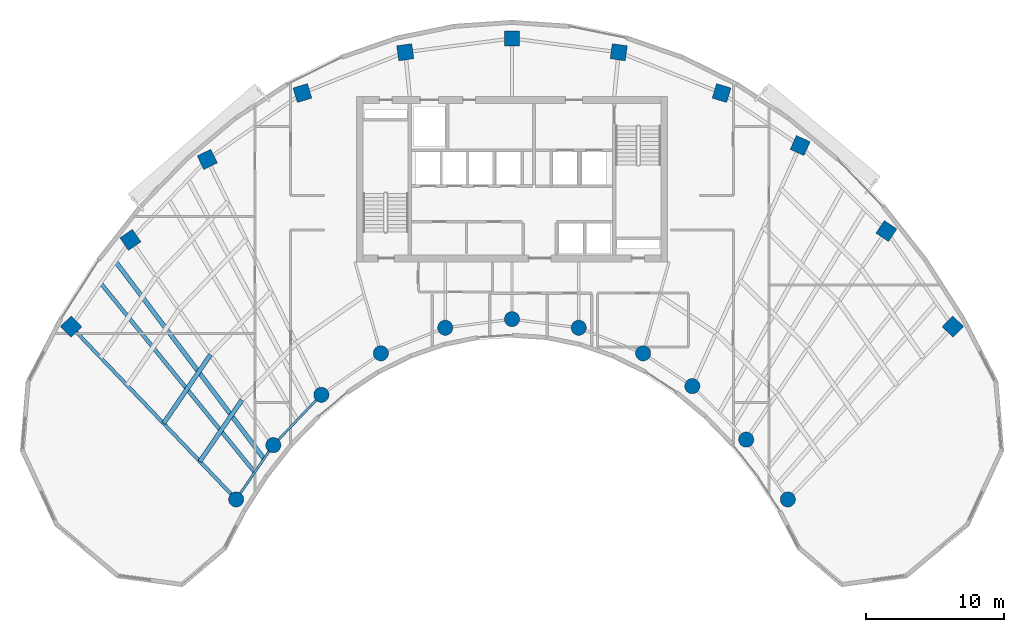
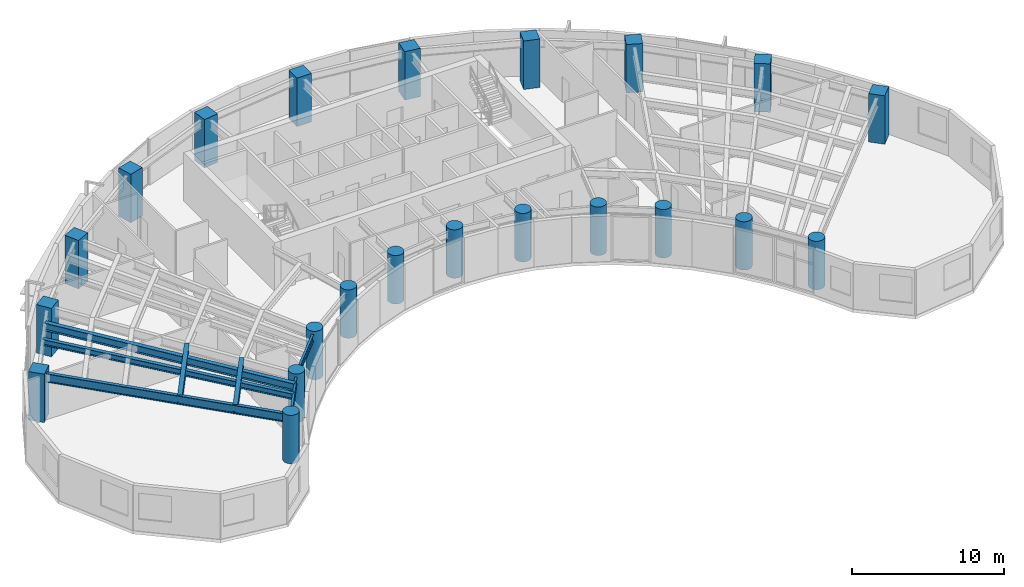
# One storey, part 1 of 12: 22 columns, 7 beams.
"""IFC4 building model written with IfcOpenShell, lengths in metres."""

from ifc_helpers import new_model, si_unit, direction, frame, origin, origin_2d, place, context, subcontext, project, spatial, rectangle, circle, i_section, extrude, source, transform, mapped, material, material_profile, profile_set, type_object, type_shapes, element, save


model = new_model("IFC4")

# Units and contexts
model_context = context("Model", 3, precision=1e-05, world=origin(), true_north=direction((0.0, 1.0)))
body_context = subcontext(model_context, "Body", "Model", "MODEL_VIEW")
ifc_project = project(units=[si_unit("LENGTHUNIT", "METRE"), si_unit("AREAUNIT", "SQUARE_METRE"), si_unit("VOLUMEUNIT", "CUBIC_METRE"), si_unit("PLANEANGLEUNIT", "RADIAN"), si_unit("MASSUNIT", "GRAM", prefix="KILO")], contexts=[model_context])

# Site, building, storey
site_placement = place(None, origin())
site = spatial("IfcSite", under=ifc_project, at=site_placement, CompositionType="ELEMENT")
building_placement = place(site_placement, origin())
building = spatial("IfcBuilding", under=site, at=building_placement, Name="Breltana Convention Tower", CompositionType="ELEMENT")
storey_placement = place(building_placement, frame((0.0, 0.0, 150.60009765625)))
storey = spatial("IfcBuildingStorey", under=building, at=storey_placement, Name="L36", CompositionType="ELEMENT", Elevation=150.60009765625)

# Columns
ifc_material_1 = material(Name="Concrete C60/75", Category="concrete")
ifc_material_profile_1 = material_profile(ifc_material_1, rectangle(XDim=1.10009765625, YDim=1.10009765625, at=origin_2d()), Name="RC-COL-1100X1100")
ifc_profile_set_1 = profile_set([ifc_material_profile_1], Name="Concrete C60/75")
column_type_1 = type_object("IfcColumnType", Name="COL-RC-1100", PredefinedType="COLUMN", material=ifc_profile_set_1)
shared_shape_1 = source(origin(), body_context, "Body", "SweptSolid", [
    extrude(rectangle(XDim=1.10009765625, YDim=1.10009765625, at=origin_2d()), origin(), (0.0, 0.0, 1.0), 3.89990234375),
])
for number, where, z_axis, x_axis, name in (
    (1, (16.0068359375, 55.494384765625, 0.0), (0.0, 0.0, 1.0), (-0.690756218984, 0.723087716626, 0.0), "L36 Tower Column R01-OUT"),
    (2, (20.310791015625, 61.78857421875, 0.0), (0.0, 0.0, 1.0), (-0.571143442153, 0.820850271661, 0.0), "L36 Tower Column R02-OUT"),
    (3, (25.8876953125, 67.626953125, 0.0), (0.0, 0.0, 1.0), (-0.436173672171, 0.899862504889, 0.0), "L36 Tower Column R03-OUT"),
    (4, (32.791015625, 72.4423828125, 0.0), (0.0, 0.0, 1.0), (-0.288697611798, 0.957420330337, 0.0), "L36 Tower Column R04-OUT"),
    (5, (40.253173828125, 75.404296875, 0.0), (0.0, 0.0, 1.0), (-0.143492621991, 0.98965138682, 0.0), "L36 Tower Column R05-OUT"),
    (6, (48.0, 76.404052734375, 0.0), (0.0, 0.0, 1.0), (0.0, 1.0, 0.0), "L36 Tower Column R06-OUT"),
    (7, (55.746826171875, 75.404296875, 0.0), (0.0, 0.0, 1.0), (0.143492621991, 0.98965138682, 0.0), "L36 Tower Column R07-OUT"),
    (8, (63.208984375, 72.4423828125, 0.0), (0.0, 0.0, 1.0), (0.288697611798, 0.957420330337, 0.0), "L36 Tower Column R08-OUT"),
    (9, (68.910400390625, 68.63330078125, 0.0), (0.0, 0.0, 1.0), (0.409126902895, 0.912477494148, 0.0), "L36 Tower Column R09-OUT"),
    (10, (75.166748046875, 62.43017578125, 0.0), (0.0, 0.0, 1.0), (0.55774510898, 0.830012285095, 0.0), "L36 Tower Column R10-OUT"),
    (11, (79.9931640625, 55.494384765625, 0.0), (0.0, 0.0, 1.0), (0.690756218984, 0.723087716626, 0.0), "L36 Tower Column R11-OUT"),
):
    element("IfcColumn", number, at=place(storey_placement, frame(where, z_axis=z_axis, x_axis=x_axis)), inside=storey, type_object=column_type_1, Name=name, PredefinedType="COLUMN", context=body_context, shape_type="MappedRepresentation", body=[
        mapped(shared_shape_1, transform((0.0, 0.0, 0.0), scale=1.0)),
    ])
ifc_material_2 = material(Name="Concrete C50/60", Category="concrete")
ifc_material_profile_2 = material_profile(ifc_material_2, circle(Radius=0.550048828125, at=origin_2d()), Name="RC-COL-D1100")
ifc_profile_set_2 = profile_set([ifc_material_profile_2], Name="Concrete C50/60")
column_type_2 = type_object("IfcColumnType", Name="COL-RC-D1100", PredefinedType="COLUMN", material=ifc_profile_set_2)
shared_shape_2 = source(origin(), body_context, "Body", "SweptSolid", [
    extrude(circle(Radius=0.550048828125, at=origin_2d()), origin(), (0.0, 0.0, 1.0), 3.89990234375),
])
for number, where, z_axis, x_axis, name in (
    (12, (27.984619140625, 42.95458984375, 0.0), (0.0, 0.0, 1.0), (-0.690756218984, 0.723087716626, 0.0), "L36 Tower Column R01-IN"),
    (13, (30.67724609375, 46.892333984375, 0.0), (0.0, 0.0, 1.0), (-0.571143442153, 0.820850271661, 0.0), "L36 Tower Column R02-IN"),
    (14, (34.166259765625, 50.544921875, 0.0), (0.0, 0.0, 1.0), (-0.436173672171, 0.899862504889, 0.0), "L36 Tower Column R03-IN"),
    (15, (38.485107421875, 53.5576171875, 0.0), (0.0, 0.0, 1.0), (-0.288697611798, 0.957420330337, 0.0), "L36 Tower Column R04-IN"),
    (16, (43.153564453125, 55.41064453125, 0.0), (0.0, 0.0, 1.0), (-0.143492621991, 0.98965138682, 0.0), "L36 Tower Column R05-IN"),
    (17, (48.0, 56.035888671875, 0.0), (0.0, 0.0, 1.0), (0.0, 1.0, 0.0), "L36 Tower Column R06-IN"),
    (18, (52.846435546875, 55.41064453125, 0.0), (0.0, 0.0, 1.0), (0.143492621991, 0.98965138682, 0.0), "L36 Tower Column R07-IN"),
    (19, (57.514892578125, 53.5576171875, 0.0), (0.0, 0.0, 1.0), (0.288697611798, 0.957420330337, 0.0), "L36 Tower Column R08-IN"),
    (20, (61.08203125, 51.174560546875, 0.0), (0.0, 0.0, 1.0), (0.409126902895, 0.912477494148, 0.0), "L36 Tower Column R09-IN"),
    (21, (64.995849609375, 47.293701171875, 0.0), (0.0, 0.0, 1.0), (0.55774510898, 0.830012285095, 0.0), "L36 Tower Column R10-IN"),
    (22, (68.015380859375, 42.95458984375, 0.0), (0.0, 0.0, 1.0), (0.690756218984, 0.723087716626, 0.0), "L36 Tower Column R11-IN"),
):
    element("IfcColumn", number, at=place(storey_placement, frame(where, z_axis=z_axis, x_axis=x_axis)), inside=storey, type_object=column_type_2, Name=name, PredefinedType="COLUMN", context=body_context, shape_type="MappedRepresentation", body=[
        mapped(shared_shape_2, transform((0.0, 0.0, 0.0), scale=1.0)),
    ])

# Beams
ifc_material_3 = material(Name="Steel ASTM A992 Grade 50", Category="steel")
ifc_material_profile_3 = material_profile(ifc_material_3, i_section(OverallWidth=0.25390625, OverallDepth=0.68798828125, WebThickness=0.01318359375, FlangeThickness=0.02099609375, at=origin_2d()), Name="W27X102")
ifc_profile_set_3 = profile_set([ifc_material_profile_3], Name="Steel ASTM A992 Grade 50")
beam_type_1 = type_object("IfcBeamType", Name="BM-RG-W27X102", PredefinedType="USERDEFINED", material=ifc_profile_set_3)
shared_shape_3 = source(origin(), body_context, "Body", "SweptSolid", [
    extrude(i_section(OverallWidth=0.25390625, OverallDepth=0.68798828125, WebThickness=0.01318359375, FlangeThickness=0.02099609375, at=origin_2d()), origin(), (0.0, 0.0, 1.0), 17.341064453125),
])
type_shapes(beam_type_1, [shared_shape_3])
beam_1_placement = place(storey_placement, frame((27.984619140625, 42.95458984375, 3.305908203125), z_axis=(-0.690716462293, 0.723125693581, 0.0), x_axis=(-0.723125693581, -0.690716462293, 0.0)))
element("IfcBeam", 23, at=beam_1_placement, inside=storey, type_object=beam_type_1, Name="L36 Radial Floor Girder R01", ObjectType="GIRDER", PredefinedType="USERDEFINED", context=body_context, shape_type="MappedRepresentation", body=[
    mapped(shared_shape_3, transform((0.0, 0.0, 0.0), scale=1.0)),
])
ifc_material_profile_4 = material_profile(ifc_material_3, i_section(OverallWidth=0.166015625, OverallDepth=0.534912109375, WebThickness=0.01025390625, FlangeThickness=0.0166015625, at=origin_2d()), Name="W21X57")
ifc_profile_set_4 = profile_set([ifc_material_profile_4], Name="Steel ASTM A992 Grade 50")
beam_type_2 = type_object("IfcBeamType", Name="BM-BM-W21X57", PredefinedType="BEAM", material=ifc_profile_set_4)
shared_shape_4 = source(origin(), body_context, "Body", "SweptSolid", [
    extrude(i_section(OverallWidth=0.166015625, OverallDepth=0.534912109375, WebThickness=0.01025390625, FlangeThickness=0.0166015625, at=origin_2d()), origin(), (0.0, 0.0, 1.0), 4.770263671875),
])
beam_2_placement = place(storey_placement, frame((27.984619140625, 42.95458984375, 3.38232421875), z_axis=(0.564452719055, 0.82546540082, 0.0), x_axis=(-0.82546540082, 0.564452719055, 0.0)))
element("IfcBeam", 24, at=beam_2_placement, inside=storey, type_object=beam_type_2, Name="L36 Inner Ring Beam 01", PredefinedType="BEAM", context=body_context, shape_type="MappedRepresentation", body=[
    mapped(shared_shape_4, transform((0.0, 0.0, 0.0), scale=1.0)),
])
shared_shape_5 = source(origin(), body_context, "Body", "SweptSolid", [
    extrude(i_section(OverallWidth=0.166015625, OverallDepth=0.534912109375, WebThickness=0.01025390625, FlangeThickness=0.0166015625, at=origin_2d()), origin(), (0.0, 0.0, 1.0), 5.05126953125),
])
beam_3_placement = place(storey_placement, frame((30.67724609375, 46.892333984375, 3.38232421875), z_axis=(0.690729753845, 0.7231129975, 0.0), x_axis=(-0.7231129975, 0.690729753845, 0.0)))
element("IfcBeam", 25, at=beam_3_placement, inside=storey, type_object=beam_type_2, Name="L36 Inner Ring Beam 02", PredefinedType="BEAM", context=body_context, shape_type="MappedRepresentation", body=[
    mapped(shared_shape_5, transform((0.0, 0.0, 0.0), scale=1.0)),
])
ifc_material_profile_5 = material_profile(ifc_material_3, i_section(OverallWidth=0.323974609375, OverallDepth=0.611083984375, WebThickness=0.0126953125, FlangeThickness=0.01904296875, at=origin_2d()), Name="W24X104")
ifc_profile_set_5 = profile_set([ifc_material_profile_5], Name="Steel ASTM A992 Grade 50")
beam_type_3 = type_object("IfcBeamType", Name="BM-JSG-01", PredefinedType="JOIST", material=ifc_profile_set_5)
shared_shape_6 = source(origin(), body_context, "Body", "SweptSolid", [
    extrude(i_section(OverallWidth=0.323974609375, OverallDepth=0.611083984375, WebThickness=0.0126953125, FlangeThickness=0.01904296875, at=origin_2d()), origin(), (0.0, 0.0, 1.0), 5.3984375),
])
beam_4_placement = place(storey_placement, frame((25.349365234375, 45.71337890625, 3.344482421875), z_axis=(0.564440705434, 0.825473615599, 0.0), x_axis=(-0.825473615599, 0.564440705434, 0.0)))
element("IfcBeam", 26, at=beam_4_placement, inside=storey, type_object=beam_type_3, Name="L36 Composite Floor Joist 01.1", PredefinedType="JOIST", context=body_context, shape_type="MappedRepresentation", body=[
    mapped(shared_shape_6, transform((0.0, 0.0, 0.0), scale=1.0)),
])
shared_shape_7 = source(origin(), body_context, "Body", "SweptSolid", [
    extrude(i_section(OverallWidth=0.323974609375, OverallDepth=0.611083984375, WebThickness=0.0126953125, FlangeThickness=0.01904296875, at=origin_2d()), origin(), (0.0, 0.0, 1.0), 6.0263671875),
])
beam_5_placement = place(storey_placement, frame((22.71435546875, 48.47216796875, 3.344482421875), z_axis=(0.564450071397, 0.825467211281, 0.0), x_axis=(-0.825467211281, 0.564450071397, 0.0)))
element("IfcBeam", 27, at=beam_5_placement, inside=storey, type_object=beam_type_3, Name="L36 Composite Floor Joist 01.2", PredefinedType="JOIST", context=body_context, shape_type="MappedRepresentation", body=[
    mapped(shared_shape_7, transform((0.0, 0.0, 0.0), scale=1.0)),
])
ifc_material_profile_6 = material_profile(ifc_material_3, i_section(OverallWidth=0.280029296875, OverallDepth=0.462890625, WebThickness=0.0107421875, FlangeThickness=0.017333984375, at=origin_2d()), Name="W18X76")
ifc_profile_set_6 = profile_set([ifc_material_profile_6], Name="Steel ASTM A992 Grade 50")
beam_type_4 = type_object("IfcBeamType", Name="BM-JSG-06", PredefinedType="JOIST", material=ifc_profile_set_6)
shared_shape_8 = source(origin(), body_context, "Body", "SweptSolid", [
    extrude(i_section(OverallWidth=0.280029296875, OverallDepth=0.462890625, WebThickness=0.0107421875, FlangeThickness=0.017333984375, at=origin_2d()), origin(), (0.0, 0.0, 1.0), 17.691650390625),
])
beam_6_placement = place(storey_placement, frame((29.330810546875, 44.923583984375, 3.41845703125), z_axis=(-0.631476958478, 0.775394642044, 0.0), x_axis=(-0.775394642044, -0.631476958478, 0.0)))
element("IfcBeam", 28, at=beam_6_placement, inside=storey, type_object=beam_type_4, Name="L36 Mid-Bay Radial Trimmer 01", PredefinedType="JOIST", context=body_context, shape_type="MappedRepresentation", body=[
    mapped(shared_shape_8, transform((0.0, 0.0, 0.0), scale=1.0)),
])
shared_shape_9 = source(origin(), body_context, "Body", "SweptSolid", [
    extrude(i_section(OverallWidth=0.323974609375, OverallDepth=0.611083984375, WebThickness=0.0126953125, FlangeThickness=0.01904296875, at=origin_2d()), origin(), (0.0, 0.0, 1.0), 17.9072265625),
])
beam_7_placement = place(storey_placement, frame((30.00390625, 45.907958984375, 3.344482421875), z_axis=(-0.601382105028, 0.798961553363, 0.0), x_axis=(-0.798961553363, -0.601382105028, 0.0)))
element("IfcBeam", 29, at=beam_7_placement, inside=storey, type_object=beam_type_3, Name="L36 Quarter-Bay Radial Trimmer 01", PredefinedType="JOIST", context=body_context, shape_type="MappedRepresentation", body=[
    mapped(shared_shape_9, transform((0.0, 0.0, 0.0), scale=1.0)),
])

save(model, "model.ifc")
